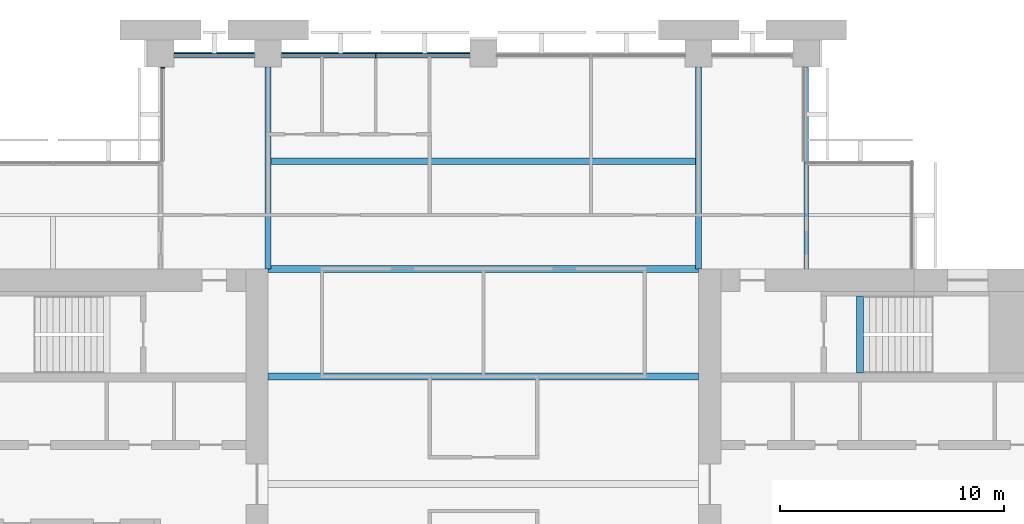
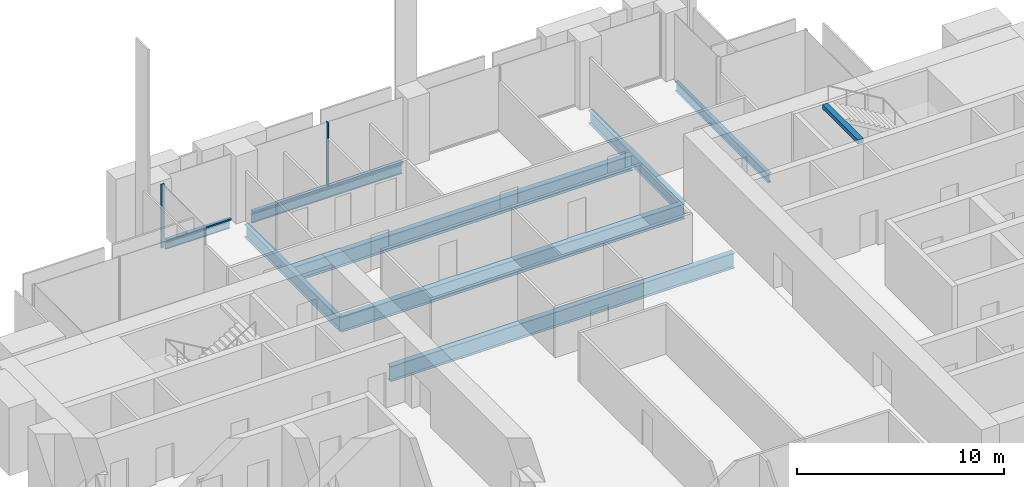
# One storey, part 6 of 14: 9 beams, 4 members, 2 elements without a shape of their own.
"""IFC4 building model written with IfcOpenShell, lengths in metres."""

import ifcopenshell
import ifcopenshell.guid

model = None  # the IFC model being written
_history = None  # IfcOwnerHistory: only IFC2X3 demands one
_inside = {}  # id of a spatial element -> (the spatial element, [elements in it])
_under = {}  # id of a project, library or spatial element -> (it, [spatial elements below it])
_declared = {}  # id of a project -> (the project, [libraries it declares])
_typed = {}  # id of a type object -> (the type object, [elements of that type])
_made_of = {}  # id of a material, layer set ... -> (it, [elements and type objects made of it])


def new_model(schema):
    """Start an empty IFC model of exactly this schema.

    Asked for "IFC4X3", IfcOpenShell would pick the latest addendum, in which some entities
    have other attributes; the version numbers below select the first issue.
    IFC2X3 requires an IfcOwnerHistory on every rooted entity: one is made here for all.
    """
    global model, _history
    if schema == "IFC4X3":
        model = ifcopenshell.file(schema_version=(4, 3, 0, 0))
    else:
        model = ifcopenshell.file(schema=schema)
    _inside.clear()
    _under.clear()
    _declared.clear()
    _typed.clear()
    _made_of.clear()
    _history = None
    if model.schema == "IFC2X3":
        org = make("IfcOrganization", Name="unknown")
        user = make(
            "IfcPersonAndOrganization",
            ThePerson=make("IfcPerson", FamilyName="unknown"),
            TheOrganization=org,
        )
        app = make(
            "IfcApplication",
            ApplicationDeveloper=org,
            Version="unknown",
            ApplicationFullName="unknown",
            ApplicationIdentifier="unknown",
        )
        _history = make(
            "IfcOwnerHistory",
            OwningUser=user,
            OwningApplication=app,
            ChangeAction="ADDED",
            CreationDate=0,
        )
    return model


def make(cls, **values):
    """One entity of the class cls with the attributes given. An attribute that is None is left unset."""
    return model.create_entity(
        cls, **{name: value for name, value in values.items() if value is not None}
    )


def rooted(cls, **values):
    """An entity with a GlobalId (a new one), such as an element, a storey or a relation."""
    return make(cls, GlobalId=ifcopenshell.guid.new(), OwnerHistory=_history, **values)


def si_unit(unit_type, name, prefix=None):
    """IfcSIUnit, for example si_unit("LENGTHUNIT", "METRE", prefix="MILLI")."""
    return make("IfcSIUnit", UnitType=unit_type, Prefix=prefix, Name=name)


def assignment(units):
    """IfcUnitAssignment: the units of a project."""
    return None if units is None else make("IfcUnitAssignment", Units=units)


def point(xyz):
    """IfcCartesianPoint."""
    return None if xyz is None else make("IfcCartesianPoint", Coordinates=xyz)


def direction(xyz):
    """IfcDirection."""
    return None if xyz is None else make("IfcDirection", DirectionRatios=xyz)


def frame(location, z_axis=None, x_axis=None):
    """IfcAxis2Placement3D, a coordinate frame: its origin and axes. An axis left out is left unset."""
    return make(
        "IfcAxis2Placement3D",
        Location=point(location),
        Axis=direction(z_axis),
        RefDirection=direction(x_axis),
    )


def frame_2d(location, x_axis=None):
    """IfcAxis2Placement2D, a coordinate frame in the plane: its origin and x axis."""
    return make(
        "IfcAxis2Placement2D", Location=point(location), RefDirection=direction(x_axis)
    )


def origin():
    """The frame at (0, 0, 0) with its axes left unset."""
    return frame((0.0, 0.0, 0.0))


def origin_2d():
    """The frame at (0, 0) in the plane with its x axis left unset."""
    return frame_2d((0.0, 0.0))


def place(relative_to, where):
    """IfcLocalPlacement: puts the frame where relative to a parent placement (None: the world)."""
    return make(
        "IfcLocalPlacement", PlacementRelTo=relative_to, RelativePlacement=where
    )


def context(
    kind, dimensions, precision=None, world=None, true_north=None, identifier=None
):
    """IfcGeometricRepresentationContext, for example the 3D "Model" context."""
    return make(
        "IfcGeometricRepresentationContext",
        ContextIdentifier=identifier,
        ContextType=kind,
        CoordinateSpaceDimension=dimensions,
        Precision=precision,
        WorldCoordinateSystem=world,
        TrueNorth=true_north,
    )


def subcontext(parent, identifier, kind, view, scale=None):
    """IfcGeometricRepresentationSubContext, for example "Body" below "Model"."""
    return make(
        "IfcGeometricRepresentationSubContext",
        ContextIdentifier=identifier,
        ContextType=kind,
        ParentContext=parent,
        TargetScale=scale,
        TargetView=view,
    )


def project(units=None, contexts=None):
    """IfcProject with its units and contexts."""
    return rooted(
        "IfcProject",
        Name="project",
        RepresentationContexts=contexts,
        UnitsInContext=assignment(units),
    )


def spatial(cls, under=None, at=None, **own):
    """A site, building, storey or space (cls), placed at a placement, below another one or the project."""
    s = rooted(cls, ObjectPlacement=at, **own)
    if under is not None:
        _under.setdefault(under.id(), (under, []))[1].append(s)
    return s


def profile(cls, at=None, kind="AREA", **sizes):
    """A parametric profile (cls). Its sizes go by their IFC names, for example OverallWidth=200.0."""
    return make(cls, ProfileType=kind, Position=at, **sizes)


def rectangle(**sizes):
    """IfcRectangleProfileDef."""
    return profile("IfcRectangleProfileDef", **sizes)


def i_section(**sizes):
    """IfcIShapeProfileDef."""
    return profile("IfcIShapeProfileDef", **sizes)


def extrude(swept, where, along, depth):
    """IfcExtrudedAreaSolid: the profile swept, set in the frame where, extruded along a direction by depth."""
    return make(
        "IfcExtrudedAreaSolid",
        SweptArea=swept,
        Position=where,
        ExtrudedDirection=direction(along),
        Depth=depth,
    )


def shape(context_of_items, identifier, shape_type, items):
    """IfcShapeRepresentation: the items that make up one representation, for example the "Body"."""
    return make(
        "IfcShapeRepresentation",
        ContextOfItems=context_of_items,
        RepresentationIdentifier=identifier,
        RepresentationType=shape_type,
        Items=items,
    )


def material(Name=None, Category=None):
    """IfcMaterial."""
    return make("IfcMaterial", Name=Name, Category=Category)


def material_profile(
    of_material, cross_section, Name=None, Category=None, Priority=None
):
    """IfcMaterialProfile: a cross section and its material."""
    return make(
        "IfcMaterialProfile",
        Name=Name,
        Material=of_material,
        Profile=cross_section,
        Priority=Priority,
        Category=Category,
    )


def profile_set(profiles, Name=None, composite=None):
    """IfcMaterialProfileSet."""
    return make(
        "IfcMaterialProfileSet",
        Name=Name,
        MaterialProfiles=profiles,
        CompositeProfile=composite,
    )


def made_of(thing, what):
    """Note that an element or type object is made of a material, layer set ...; save() writes the relation."""
    if what is not None:
        _made_of.setdefault(what.id(), (what, []))[1].append(thing)
    return thing


def type_object(cls, material=None, **own):
    """A type object (cls), such as IfcWallType, which elements share."""
    return made_of(rooted(cls, **own), material)


def element(
    cls,
    number,
    at=None,
    inside=None,
    cuts=None,
    type_object=None,
    material=None,
    context=None,
    identifier="Body",
    shape_type=None,
    held_by="IfcProductDefinitionShape",
    body=None,
    shapes=None,
    **own,
):
    """One element of the class cls, such as IfcWall. Its Tag is "e" and its number.

    at: its placement. inside: the storey or other place that contains it. cuts: it is an
    opening in that element (IfcRelVoidsElement). A single representation is given by context,
    identifier, shape_type and body (its items); several are given by shapes. held_by: the class
    of the entity that holds the representations. save() writes the other relations.
    """
    e = rooted(cls, Tag="e%d" % number, ObjectPlacement=at, **own)
    if body is not None:
        shapes = [shape(context, identifier, shape_type, body)]
    if shapes is not None:
        e.Representation = make(held_by, Representations=shapes)
    if inside is not None:
        _inside.setdefault(inside.id(), (inside, []))[1].append(e)
    if cuts is not None:
        rooted(
            "IfcRelVoidsElement", RelatingBuildingElement=cuts, RelatedOpeningElement=e
        )
    if type_object is not None:
        _typed.setdefault(type_object.id(), (type_object, []))[1].append(e)
    return made_of(e, material)


def aggregate(whole, parts):
    """IfcRelAggregates: a whole, such as a stair, and the parts it consists of."""
    return rooted("IfcRelAggregates", RelatingObject=whole, RelatedObjects=parts)


def save(model, path):
    """Write the relations noted so far, then the file.

    IfcRelAggregates (storeys below a building ...), IfcRelContainedInSpatialStructure (elements
    in a storey), IfcRelDefinesByType, IfcRelAssociatesMaterial and IfcRelDeclares: one each for
    every whole, place, type object, material and project.
    """
    for whole, parts in _under.values():
        aggregate(whole, parts)
    for where, things in _inside.values():
        rooted(
            "IfcRelContainedInSpatialStructure",
            RelatedElements=things,
            RelatingStructure=where,
        )
    for kind, things in _typed.values():
        rooted("IfcRelDefinesByType", RelatedObjects=things, RelatingType=kind)
    for what, things in _made_of.values():
        rooted("IfcRelAssociatesMaterial", RelatedObjects=things, RelatingMaterial=what)
    for by, libraries in _declared.values():
        rooted("IfcRelDeclares", RelatingContext=by, RelatedDefinitions=libraries)
    model.write(path)


model = new_model("IFC4")

# Units and contexts
model_context = context("Model", 3, precision=1e-05, world=origin(), true_north=direction((0.0, 1.0)))
body_context = subcontext(model_context, "Body", "Model", "MODEL_VIEW")
ifc_project = project(units=[si_unit("LENGTHUNIT", "METRE"), si_unit("AREAUNIT", "SQUARE_METRE"), si_unit("VOLUMEUNIT", "CUBIC_METRE"), si_unit("PLANEANGLEUNIT", "RADIAN"), si_unit("MASSUNIT", "GRAM", prefix="KILO")], contexts=[model_context])

# Site, building, storey
site_placement = place(None, origin())
site = spatial("IfcSite", under=ifc_project, at=site_placement, CompositionType="ELEMENT")
building_placement = place(site_placement, origin())
building = spatial("IfcBuilding", under=site, at=building_placement, Name="Baori Bourse Tower", CompositionType="ELEMENT")
storey_placement = place(building_placement, frame((0.0, 0.0, 156.10009765625)))
storey = spatial("IfcBuildingStorey", under=building, at=storey_placement, Name="L34", CompositionType="ELEMENT", Elevation=156.10009765625)

# Curtain wall, members
ifc_material_1 = material(Name="Pale anodised aluminium", Category="aluminium")
curtain_wall_type_1 = type_object("IfcCurtainWallType", Name="CW1 Curtain wall", PredefinedType="NOTDEFINED", material=ifc_material_1)
curtain_wall_1_placement = place(storey_placement, origin())
curtain_wall_1 = element("IfcCurtainWall", 1, at=curtain_wall_1_placement, inside=storey, type_object=curtain_wall_type_1, Name="Curtain wall CW1 L34 4", PredefinedType="NOTDEFINED")
ifc_material_2 = material(Name="Pale anodised aluminium", Category="aluminium")
ifc_material_profile_1 = material_profile(ifc_material_2, rectangle(XDim=0.199951171875, YDim=0.06005859375, at=origin_2d()), Name="Mullion 60x200")
ifc_profile_set_1 = profile_set([ifc_material_profile_1], Name="Pale anodised aluminium")
member_type_1 = type_object("IfcMemberType", Name="CW1 Curtain wall mullion", PredefinedType="MULLION", material=ifc_profile_set_1)
member_1_placement = place(storey_placement, frame((24.0, 47.89990234375, 0.079833984375), z_axis=(0.0, 0.0, 1.0), x_axis=(0.0, -1.0, 0.0)))
member_1 = element("IfcMember", 2, at=member_1_placement, type_object=member_type_1, Name="Curtain wall CW1 mullion", PredefinedType="MULLION", context=body_context, shape_type="SweptSolid", body=[
    extrude(rectangle(XDim=0.199951171875, YDim=0.06005859375, at=origin_2d()), origin(), (0.0, 0.0, 1.0), 3.760009765625),
])
ifc_material_3 = material(Name="Pale anodised aluminium", Category="aluminium")
ifc_material_profile_2 = material_profile(ifc_material_3, rectangle(XDim=0.199951171875, YDim=0.080078125, at=origin_2d()), Name="Transom 80x200")
ifc_profile_set_2 = profile_set([ifc_material_profile_2], Name="Pale anodised aluminium")
member_type_2 = type_object("IfcMemberType", Name="CW1 Curtain wall transom", PredefinedType="USERDEFINED", material=ifc_profile_set_2)
member_2_placement = place(storey_placement, frame((28.199951171875, 47.89990234375, 0.039794921875), z_axis=(-1.0, 0.0, 0.0), x_axis=(0.0, -1.0, 0.0)))
member_2 = element("IfcMember", 3, at=member_2_placement, type_object=member_type_2, Name="Curtain wall CW1 sill rail", ObjectType="TRANSOM", PredefinedType="USERDEFINED", context=body_context, shape_type="SweptSolid", body=[
    extrude(rectangle(XDim=0.199951171875, YDim=0.080078125, at=origin_2d()), origin(), (0.0, 0.0, 1.0), 8.39990234375),
])
member_3_placement = place(storey_placement, frame((18.60009765625, 47.89990234375, 0.039794921875), z_axis=(-1.0, 0.0, 0.0), x_axis=(0.0, -1.0, 0.0)))
member_3 = element("IfcMember", 4, at=member_3_placement, type_object=member_type_2, Name="Curtain wall CW1 sill rail", ObjectType="TRANSOM", PredefinedType="USERDEFINED", context=body_context, shape_type="SweptSolid", body=[
    extrude(rectangle(XDim=0.199951171875, YDim=0.080078125, at=origin_2d()), origin(), (0.0, 0.0, 1.0), 3.60009765625),
])
aggregate(curtain_wall_1, [member_2, member_1, member_3])

# Curtain wall, member
ifc_material_4 = material(Name="Pale anodised aluminium", Category="aluminium")
curtain_wall_type_2 = type_object("IfcCurtainWallType", Name="CW2 Curtain wall", PredefinedType="NOTDEFINED", material=ifc_material_4)
curtain_wall_2_placement = place(storey_placement, origin())
curtain_wall_2 = element("IfcCurtainWall", 5, at=curtain_wall_2_placement, inside=storey, type_object=curtain_wall_type_2, Name="Curtain wall CW2 L34 5", PredefinedType="NOTDEFINED")
ifc_material_5 = material(Name="Pale anodised aluminium", Category="aluminium")
ifc_material_profile_3 = material_profile(ifc_material_5, rectangle(XDim=0.179931640625, YDim=0.054931640625, at=origin_2d()), Name="Mullion 55x180")
ifc_profile_set_3 = profile_set([ifc_material_profile_3], Name="Pale anodised aluminium")
member_type_3 = type_object("IfcMemberType", Name="CW2 Curtain wall mullion", PredefinedType="MULLION", material=ifc_profile_set_3)
member_4_placement = place(storey_placement, frame((14.489990234375, 47.37255859375, 0.06982421875), z_axis=(0.0, 0.0, 1.0), x_axis=(1.0, 0.0, 0.0)))
member_4 = element("IfcMember", 6, at=member_4_placement, type_object=member_type_3, Name="Curtain wall CW2 mullion", PredefinedType="MULLION", context=body_context, shape_type="SweptSolid", body=[
    extrude(rectangle(XDim=0.179931640625, YDim=0.054931640625, at=origin_2d()), origin(), (0.0, 0.0, 1.0), 3.77001953125),
])
aggregate(curtain_wall_2, [member_4])

# Beams
ifc_material_6 = material(Name="Steel A992 Gr 50", Category="steel")
ifc_material_profile_4 = material_profile(ifc_material_6, i_section(OverallWidth=0.140380859375, OverallDepth=0.40380859375, WebThickness=0.007080078125, FlangeThickness=0.01123046875, at=origin_2d()), Name="W16x31")
ifc_profile_set_4 = profile_set([ifc_material_profile_4], Name="Steel A992 Gr 50")
beam_type_1 = type_object("IfcBeamType", Name="Edge beam W16x31", PredefinedType="BEAM", material=ifc_profile_set_4)
beam_1_placement = place(storey_placement, frame((15.0, 48.0, -0.362060546875), z_axis=(1.0, 0.0, 0.0), x_axis=(0.0, 1.0, 0.0)))
element("IfcBeam", 7, at=beam_1_placement, inside=storey, type_object=beam_type_1, Name="Edge beam L34", PredefinedType="BEAM", context=body_context, shape_type="SweptSolid", body=[
    extrude(i_section(OverallWidth=0.140380859375, OverallDepth=0.40380859375, WebThickness=0.007080078125, FlangeThickness=0.01123046875, at=origin_2d()), origin(), (0.0, 0.0, 1.0), 3.60009765625),
])
ifc_material_7 = material(Name="Steel A992 Gr 50", Category="steel")
ifc_material_profile_5 = material_profile(ifc_material_7, i_section(OverallWidth=0.1650390625, OverallDepth=0.52587890625, WebThickness=0.0087890625, FlangeThickness=0.011474609375, at=origin_2d()), Name="W21x44")
ifc_profile_set_5 = profile_set([ifc_material_profile_5], Name="Steel A992 Gr 50")
beam_type_2 = type_object("IfcBeamType", Name="Edge beam W21x44", PredefinedType="BEAM", material=ifc_profile_set_5)
beam_2_placement = place(storey_placement, frame((19.800048828125, 48.0, -0.423095703125), z_axis=(1.0, 0.0, 0.0), x_axis=(0.0, 1.0, 0.0)))
element("IfcBeam", 8, at=beam_2_placement, inside=storey, type_object=beam_type_2, Name="Edge beam L34", PredefinedType="BEAM", context=body_context, shape_type="SweptSolid", body=[
    extrude(i_section(OverallWidth=0.1650390625, OverallDepth=0.52587890625, WebThickness=0.0087890625, FlangeThickness=0.011474609375, at=origin_2d()), origin(), (0.0, 0.0, 1.0), 8.39990234375),
])
ifc_material_8 = material(Name="Steel A992 Gr 50", Category="steel")
ifc_material_profile_6 = material_profile(ifc_material_8, i_section(OverallWidth=0.209228515625, OverallDepth=0.533447265625, WebThickness=0.01025390625, FlangeThickness=0.015625, at=origin_2d()), Name="W21x62")
ifc_profile_set_6 = profile_set([ifc_material_profile_6], Name="Steel A992 Gr 50")
beam_type_3 = type_object("IfcBeamType", Name="Floor beam W21x62", PredefinedType="BEAM", material=ifc_profile_set_6)
beam_3_placement = place(storey_placement, frame((43.199951171875, 38.39990234375, -0.4267578125), z_axis=(0.0, 1.0, 0.0), x_axis=(-1.0, 0.0, 0.0)))
element("IfcBeam", 9, at=beam_3_placement, inside=storey, type_object=beam_type_3, Name="Floor beam L34", PredefinedType="BEAM", context=body_context, shape_type="SweptSolid", body=[
    extrude(i_section(OverallWidth=0.209228515625, OverallDepth=0.533447265625, WebThickness=0.01025390625, FlangeThickness=0.015625, at=origin_2d()), origin(), (0.0, 0.0, 1.0), 9.0),
])
ifc_material_9 = material(Name="Steel A992 Gr 50", Category="steel")
ifc_material_profile_7 = material_profile(ifc_material_9, i_section(OverallWidth=0.3046875, OverallDepth=0.904296875, WebThickness=0.01513671875, FlangeThickness=0.02001953125, at=origin_2d()), Name="W36x135")
ifc_profile_set_7 = profile_set([ifc_material_profile_7], Name="Steel A992 Gr 50")
beam_type_4 = type_object("IfcBeamType", Name="Floor beam W36x135", PredefinedType="BEAM", material=ifc_profile_set_7)
for number, where, z_axis, x_axis, name in (
    (10, (19.199951171875, 33.60009765625, -0.6123046875), (1.0, 0.0, 0.0), (0.0, 1.0, 0.0), "Floor beam L34"),
    (11, (19.199951171875, 38.39990234375, -0.6123046875), (1.0, 0.0, 0.0), (0.0, 1.0, 0.0), "Floor beam L34"),
):
    element("IfcBeam", number, at=place(storey_placement, frame(where, z_axis=z_axis, x_axis=x_axis)), inside=storey, type_object=beam_type_4, Name=name, PredefinedType="BEAM", context=body_context, shape_type="SweptSolid", body=[
        extrude(i_section(OverallWidth=0.3046875, OverallDepth=0.904296875, WebThickness=0.01513671875, FlangeThickness=0.02001953125, at=origin_2d()), origin(), (0.0, 0.0, 1.0), 19.199951171875),
    ])
beam_4_placement = place(storey_placement, frame((19.33203125, 43.199951171875, -0.6123046875), z_axis=(1.0, 0.0, 0.0), x_axis=(0.0, 1.0, 0.0)))
element("IfcBeam", 12, at=beam_4_placement, inside=storey, type_object=beam_type_4, Name="Floor beam L34", PredefinedType="BEAM", context=body_context, shape_type="SweptSolid", body=[
    extrude(i_section(OverallWidth=0.3046875, OverallDepth=0.904296875, WebThickness=0.01513671875, FlangeThickness=0.02001953125, at=origin_2d()), origin(), (0.0, 0.0, 1.0), 18.935791015625),
])
ifc_material_10 = material(Name="Steel A992 Gr 50", Category="steel")
ifc_material_profile_8 = material_profile(ifc_material_10, i_section(OverallWidth=0.26416015625, OverallDepth=0.749267578125, WebThickness=0.011962890625, FlangeThickness=0.015380859375, at=origin_2d()), Name="W30x90")
ifc_profile_set_8 = profile_set([ifc_material_profile_8], Name="Steel A992 Gr 50")
beam_type_5 = type_object("IfcBeamType", Name="Girder W30x90", PredefinedType="BEAM", material=ifc_profile_set_8)
for number, where, z_axis, x_axis, name in (
    (13, (19.199951171875, 38.39990234375, -0.53466796875), (0.0, 1.0, 0.0), (-1.0, 0.0, 0.0), "Girder L34"),
    (14, (38.39990234375, 38.39990234375, -0.53466796875), (0.0, 1.0, 0.0), (-1.0, 0.0, 0.0), "Girder L34"),
):
    element("IfcBeam", number, at=place(storey_placement, frame(where, z_axis=z_axis, x_axis=x_axis)), inside=storey, type_object=beam_type_5, Name=name, PredefinedType="BEAM", context=body_context, shape_type="SweptSolid", body=[
        extrude(i_section(OverallWidth=0.26416015625, OverallDepth=0.749267578125, WebThickness=0.011962890625, FlangeThickness=0.015380859375, at=origin_2d()), origin(), (0.0, 0.0, 1.0), 9.0),
    ])
ifc_material_11 = material(Name="Concrete f'c 50 MPa", Category="concrete")
ifc_material_profile_9 = material_profile(ifc_material_11, rectangle(XDim=0.300048828125, YDim=0.25, at=origin_2d()), Name="RC 300x250")
ifc_profile_set_9 = profile_set([ifc_material_profile_9], Name="Concrete f'c 50 MPa")
beam_type_6 = type_object("IfcBeamType", Name="Stair nib beam RC 300x250", PredefinedType="BEAM", material=ifc_profile_set_9)
beam_5_placement = place(storey_placement, frame((45.60009765625, 33.75, 3.71484375), z_axis=(0.0, 1.0, 0.0), x_axis=(-1.0, 0.0, 0.0)))
element("IfcBeam", 15, at=beam_5_placement, inside=storey, type_object=beam_type_6, Name="Stair EB nib beam L35", PredefinedType="BEAM", context=body_context, shape_type="SweptSolid", body=[
    extrude(rectangle(XDim=0.300048828125, YDim=0.25, at=origin_2d()), origin(), (0.0, 0.0, 1.0), 3.449951171875),
])

save(model, "model.ifc")
